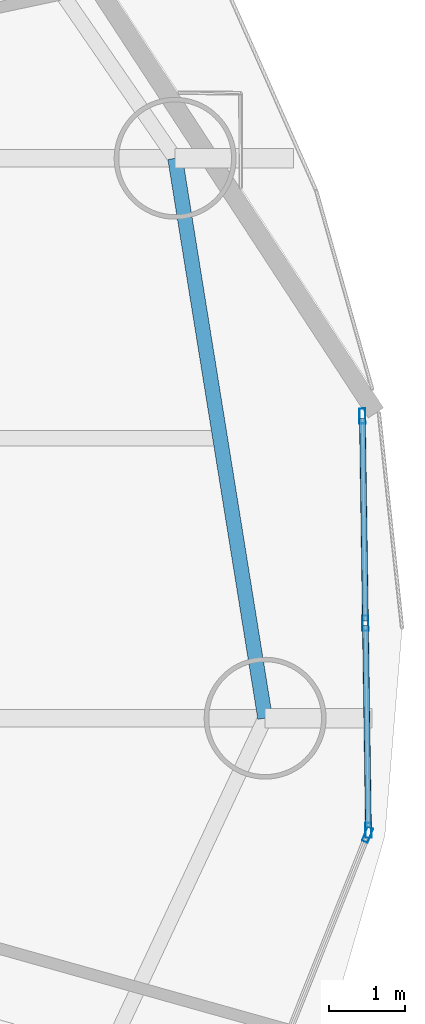
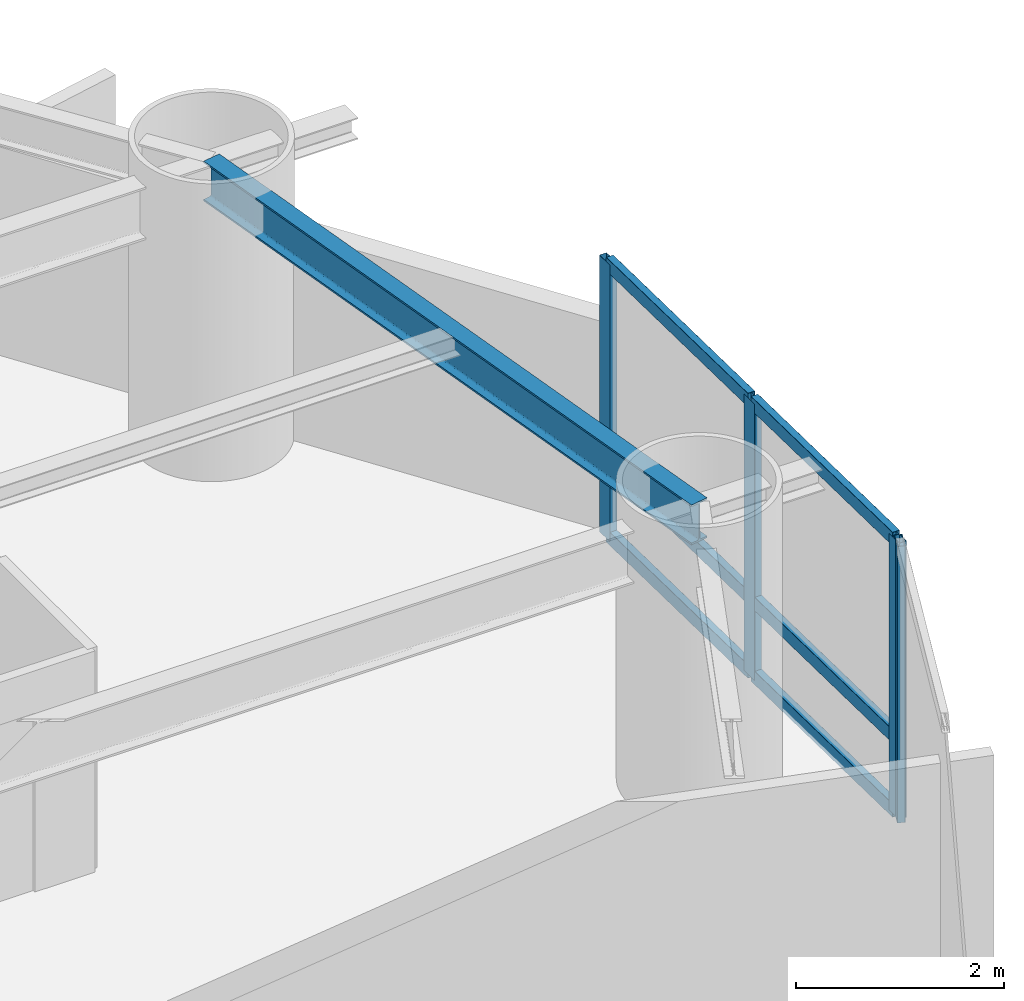
# One storey, part 10 of 26: 10 members, 1 beam, 2 elements without a shape of their own.
"""IFC4 building model written with IfcOpenShell, lengths in metres."""

from ifc_helpers import new_model, si_unit, direction, frame, origin, origin_2d, place, context, subcontext, project, spatial, hollow_rectangle, i_section, extrude, material, layer, layer_set, material_profile, profile_set, type_object, element, aggregate, save


model = new_model("IFC4")

# Units and contexts
model_context = context("Model", 3, precision=1e-05, world=origin(), true_north=direction((0.0, 1.0)))
body_context = subcontext(model_context, "Body", "Model", "MODEL_VIEW")
ifc_project = project(units=[si_unit("LENGTHUNIT", "METRE"), si_unit("AREAUNIT", "SQUARE_METRE"), si_unit("VOLUMEUNIT", "CUBIC_METRE"), si_unit("PLANEANGLEUNIT", "RADIAN"), si_unit("MASSUNIT", "GRAM", prefix="KILO")], contexts=[model_context])

# Site, building, storey
site_placement = place(None, origin())
site = spatial("IfcSite", under=ifc_project, at=site_placement, CompositionType="ELEMENT")
building_placement = place(site_placement, origin())
building = spatial("IfcBuilding", under=site, at=building_placement, Name="Bramvorn Convention Spire", CompositionType="ELEMENT")
storey_placement = place(building_placement, frame((0.0, 0.0, 76.39990234375)))
storey = spatial("IfcBuildingStorey", under=building, at=storey_placement, Name="L17", CompositionType="ELEMENT", Elevation=76.39990234375)

# Beam
ifc_material_1 = material(Name="Steel CSA G40.21 Grade 350 (350W)", Category="steel")
ifc_material_profile_1 = material_profile(ifc_material_1, i_section(OverallWidth=0.194091796875, OverallDepth=0.468994140625, WebThickness=0.0126953125, FlangeThickness=0.0205078125, FilletRadius=0.01806640625, at=origin_2d()))
ifc_profile_set_1 = profile_set([ifc_material_profile_1], Name="Steel CSA G40.21 Grade 350 (350W) - W460X106")
beam_type = type_object("IfcBeamType", Name="BM-W460X106", PredefinedType="SPANDREL", material=ifc_profile_set_1)
beam_placement = place(storey_placement, frame((66.519775390625, 21.99169921875, 3.015625), z_axis=(-0.158699222824, 0.987326975563, 0.0), x_axis=(-0.987326975563, -0.158699222824, 0.0)))
element("IfcBeam", 1, at=beam_placement, inside=storey, type_object=beam_type, Name="L17 mega-column ring beam 01", PredefinedType="SPANDREL", context=body_context, shape_type="SweptSolid", body=[
    extrude(i_section(OverallWidth=0.194091796875, OverallDepth=0.468994140625, WebThickness=0.0126953125, FlangeThickness=0.0205078125, FilletRadius=0.01806640625, at=origin_2d()), origin(), (0.0, 0.0, 1.0), 7.442626953125),
])

# Curtain wall, members
ifc_material_2 = material(Name="Anodised Bronze Unitised Curtain Wall", Category="aluminium")
ifc_layer = layer(ifc_material_2, 0.179931640625)
ifc_layer_set = layer_set([ifc_layer], Name="Anodised Bronze Unitised Curtain Wall - CW-HTL-FRIT")
curtain_wall_type = type_object("IfcCurtainWallType", Name="CW-HTL-FRIT", PredefinedType="USERDEFINED", material=ifc_layer_set)
curtain_wall_1_placement = place(storey_placement, origin())
curtain_wall_1 = element("IfcCurtainWall", 2, at=curtain_wall_1_placement, inside=storey, type_object=curtain_wall_type, Name="L17 fritted glass curtain wall 01", ObjectType="UNITISED CURTAIN WALL", PredefinedType="USERDEFINED")
ifc_material_3 = material(Name="Anodised Bronze Aluminium 6063-T6", Category="aluminium")
ifc_material_profile_2 = material_profile(ifc_material_3, hollow_rectangle(XDim=0.080078125, YDim=0.199951171875, WallThickness=0.00390625, InnerFilletRadius=0.0009765625, OuterFilletRadius=0.00390625, at=origin_2d()))
ifc_profile_set_2 = profile_set([ifc_material_profile_2], Name="Anodised Bronze Aluminium 6063-T6 - CWM80X200")
member_type_1 = type_object("IfcMemberType", Name="CW-MUL-180", PredefinedType="MULLION", material=ifc_profile_set_2)
member_1_placement = place(storey_placement, frame((67.796142578125, 25.95654296875, 0.0), z_axis=(0.0, 0.0, 1.0), x_axis=(0.999893047103, 0.014625127519, 0.0)))
member_1 = element("IfcMember", 3, at=member_1_placement, type_object=member_type_1, Name="CW2 mullion 1", PredefinedType="MULLION", context=body_context, shape_type="SweptSolid", body=[
    extrude(hollow_rectangle(XDim=0.080078125, YDim=0.199951171875, WallThickness=0.00390625, InnerFilletRadius=0.0009765625, OuterFilletRadius=0.00390625, at=origin_2d()), origin(), (0.0, 0.0, 1.0), 3.25),
])
member_2_placement = place(storey_placement, frame((67.8359375, 23.23828125, 0.0), z_axis=(0.0, 0.0, 1.0), x_axis=(0.999893047103, 0.014625127519, 0.0)))
member_2 = element("IfcMember", 4, at=member_2_placement, type_object=member_type_1, Name="CW2 mullion 2", PredefinedType="MULLION", context=body_context, shape_type="SweptSolid", body=[
    extrude(hollow_rectangle(XDim=0.080078125, YDim=0.199951171875, WallThickness=0.00390625, InnerFilletRadius=0.0009765625, OuterFilletRadius=0.00390625, at=origin_2d()), origin(), (0.0, 0.0, 1.0), 3.25),
])
member_3_placement = place(storey_placement, frame((67.875732421875, 20.519775390625, 0.0), z_axis=(0.0, 0.0, 1.0), x_axis=(0.999893047103, 0.014625127519, 0.0)))
member_3 = element("IfcMember", 5, at=member_3_placement, type_object=member_type_1, Name="CW2 mullion 3", PredefinedType="MULLION", context=body_context, shape_type="SweptSolid", body=[
    extrude(hollow_rectangle(XDim=0.080078125, YDim=0.199951171875, WallThickness=0.00390625, InnerFilletRadius=0.0009765625, OuterFilletRadius=0.00390625, at=origin_2d()), origin(), (0.0, 0.0, 1.0), 3.25),
])

# Curtain wall, member
curtain_wall_2_placement = place(storey_placement, origin())
curtain_wall_2 = element("IfcCurtainWall", 6, at=curtain_wall_2_placement, inside=storey, type_object=curtain_wall_type, Name="L17 fritted glass curtain wall 24", ObjectType="UNITISED CURTAIN WALL", PredefinedType="USERDEFINED")
member_4_placement = place(storey_placement, frame((67.864990234375, 20.4619140625, 0.0), z_axis=(0.0, 0.0, 1.0), x_axis=(0.928890101269, -0.370355477567, 0.0)))
member_4 = element("IfcMember", 7, at=member_4_placement, type_object=member_type_1, Name="CW2 mullion 1", PredefinedType="MULLION", context=body_context, shape_type="SweptSolid", body=[
    extrude(hollow_rectangle(XDim=0.080078125, YDim=0.199951171875, WallThickness=0.00390625, InnerFilletRadius=0.0009765625, OuterFilletRadius=0.00390625, at=origin_2d()), origin(), (0.0, 0.0, 1.0), 3.25),
])
aggregate(curtain_wall_2, [member_4])

# Member
ifc_material_profile_3 = material_profile(ifc_material_3, hollow_rectangle(XDim=0.080078125, YDim=0.159912109375, WallThickness=0.00390625, InnerFilletRadius=0.0009765625, OuterFilletRadius=0.00390625, at=origin_2d()))
ifc_profile_set_3 = profile_set([ifc_material_profile_3], Name="Anodised Bronze Aluminium 6063-T6 - CWT80X160")
member_type_2 = type_object("IfcMemberType", Name="CW-TRN-150", PredefinedType="USERDEFINED", material=ifc_profile_set_3)
member_5_placement = place(storey_placement, frame((67.796630859375, 25.926513671875, 0.030029296875), z_axis=(0.014601676064, -0.999893389845, 0.0), x_axis=(0.999893389845, 0.014601676064, 0.0)))
member_5 = element("IfcMember", 8, at=member_5_placement, type_object=member_type_2, Name="CW2 transom 1.1", ObjectType="TRANSOM", PredefinedType="USERDEFINED", context=body_context, shape_type="SweptSolid", body=[
    extrude(hollow_rectangle(XDim=0.080078125, YDim=0.159912109375, WallThickness=0.00390625, InnerFilletRadius=0.0009765625, OuterFilletRadius=0.00390625, at=origin_2d()), origin(), (0.0, 0.0, 1.0), 2.658447265625),
])

member_6_placement = place(storey_placement, frame((67.796630859375, 25.926513671875, 0.900146484375), z_axis=(0.014601676064, -0.999893389845, 0.0), x_axis=(0.999893389845, 0.014601676064, 0.0)))
member_6 = element("IfcMember", 9, at=member_6_placement, type_object=member_type_2, Name="CW2 transom 1.2", ObjectType="TRANSOM", PredefinedType="USERDEFINED", context=body_context, shape_type="SweptSolid", body=[
    extrude(hollow_rectangle(XDim=0.080078125, YDim=0.159912109375, WallThickness=0.00390625, InnerFilletRadius=0.0009765625, OuterFilletRadius=0.00390625, at=origin_2d()), origin(), (0.0, 0.0, 1.0), 2.658447265625),
])

member_7_placement = place(storey_placement, frame((67.796630859375, 25.926513671875, 3.22021484375), z_axis=(0.014601676064, -0.999893389845, 0.0), x_axis=(0.999893389845, 0.014601676064, 0.0)))
member_7 = element("IfcMember", 10, at=member_7_placement, type_object=member_type_2, Name="CW2 transom 1.3", ObjectType="TRANSOM", PredefinedType="USERDEFINED", context=body_context, shape_type="SweptSolid", body=[
    extrude(hollow_rectangle(XDim=0.080078125, YDim=0.159912109375, WallThickness=0.00390625, InnerFilletRadius=0.0009765625, OuterFilletRadius=0.00390625, at=origin_2d()), origin(), (0.0, 0.0, 1.0), 2.658447265625),
])

member_8_placement = place(storey_placement, frame((67.83642578125, 23.208251953125, 0.030029296875), z_axis=(0.014600335393, -0.999893409422, 0.0), x_axis=(0.999893409422, 0.014600335393, 0.0)))
member_8 = element("IfcMember", 11, at=member_8_placement, type_object=member_type_2, Name="CW2 transom 2.1", ObjectType="TRANSOM", PredefinedType="USERDEFINED", context=body_context, shape_type="SweptSolid", body=[
    extrude(hollow_rectangle(XDim=0.080078125, YDim=0.159912109375, WallThickness=0.00390625, InnerFilletRadius=0.0009765625, OuterFilletRadius=0.00390625, at=origin_2d()), origin(), (0.0, 0.0, 1.0), 2.65869140625),
])

member_9_placement = place(storey_placement, frame((67.83642578125, 23.208251953125, 0.900146484375), z_axis=(0.014600335393, -0.999893409422, 0.0), x_axis=(0.999893409422, 0.014600335393, 0.0)))
member_9 = element("IfcMember", 12, at=member_9_placement, type_object=member_type_2, Name="CW2 transom 2.2", ObjectType="TRANSOM", PredefinedType="USERDEFINED", context=body_context, shape_type="SweptSolid", body=[
    extrude(hollow_rectangle(XDim=0.080078125, YDim=0.159912109375, WallThickness=0.00390625, InnerFilletRadius=0.0009765625, OuterFilletRadius=0.00390625, at=origin_2d()), origin(), (0.0, 0.0, 1.0), 2.65869140625),
])

member_10_placement = place(storey_placement, frame((67.83642578125, 23.208251953125, 3.22021484375), z_axis=(0.014600335393, -0.999893409422, 0.0), x_axis=(0.999893409422, 0.014600335393, 0.0)))
member_10 = element("IfcMember", 13, at=member_10_placement, type_object=member_type_2, Name="CW2 transom 2.3", ObjectType="TRANSOM", PredefinedType="USERDEFINED", context=body_context, shape_type="SweptSolid", body=[
    extrude(hollow_rectangle(XDim=0.080078125, YDim=0.159912109375, WallThickness=0.00390625, InnerFilletRadius=0.0009765625, OuterFilletRadius=0.00390625, at=origin_2d()), origin(), (0.0, 0.0, 1.0), 2.65869140625),
])

aggregate(curtain_wall_1, [member_1, member_2, member_3, member_5, member_6, member_7, member_8, member_9, member_10])

save(model, "model.ifc")
